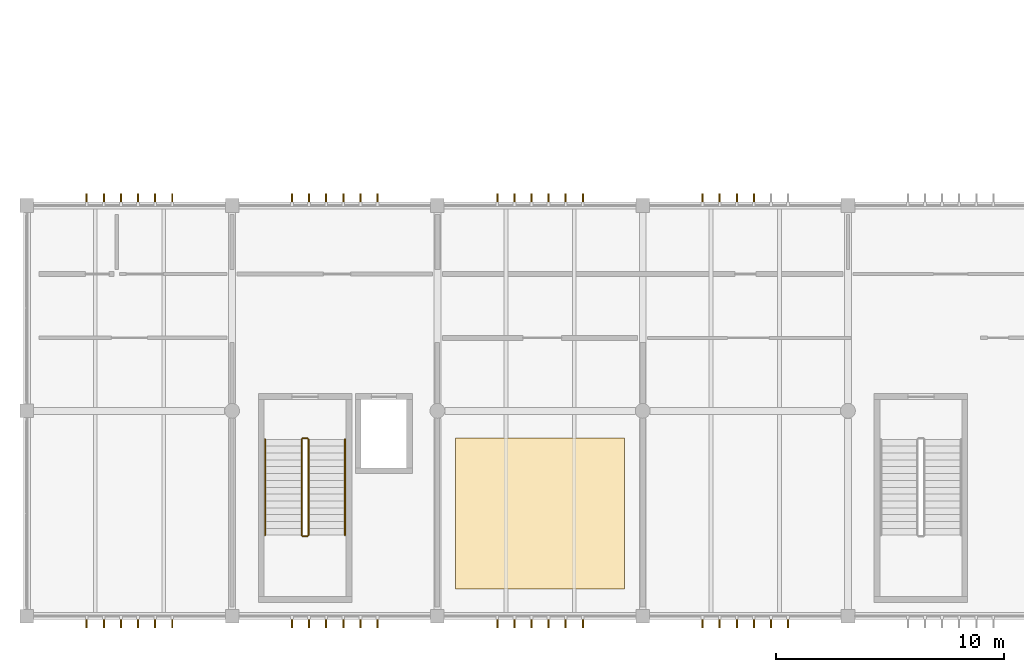
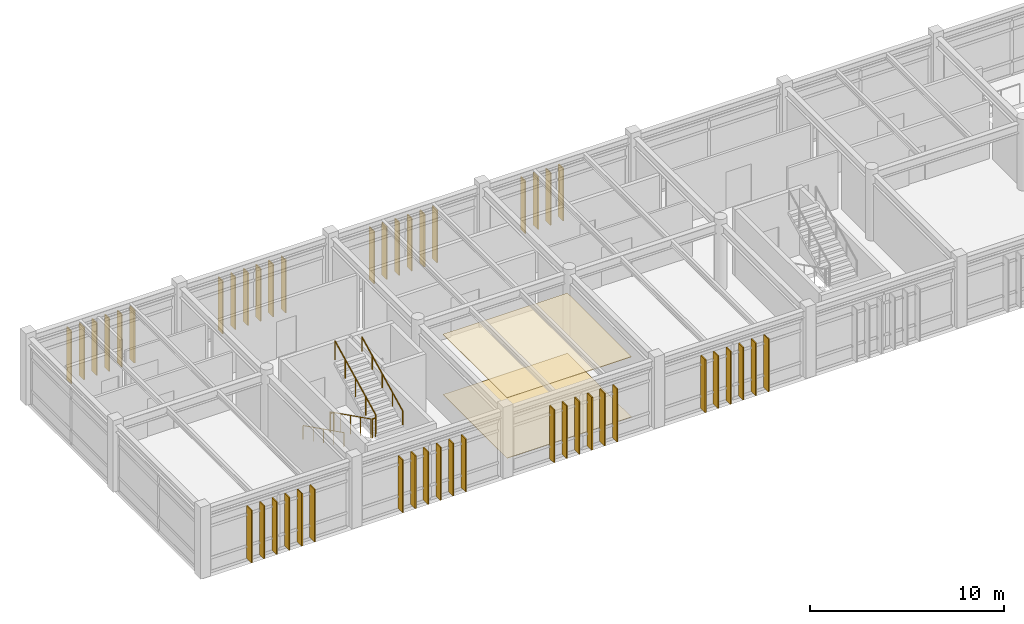
# One storey, part 50 of 55: 46 shading devices, 6 railings, 2 coverings.
"""IFC4 building model written with IfcOpenShell, lengths in metres."""

import ifcopenshell
import ifcopenshell.guid

model = None  # the IFC model being written
_history = None  # IfcOwnerHistory: only IFC2X3 demands one
_inside = {}  # id of a spatial element -> (the spatial element, [elements in it])
_under = {}  # id of a project, library or spatial element -> (it, [spatial elements below it])
_declared = {}  # id of a project -> (the project, [libraries it declares])
_typed = {}  # id of a type object -> (the type object, [elements of that type])
_made_of = {}  # id of a material, layer set ... -> (it, [elements and type objects made of it])


def new_model(schema):
    """Start an empty IFC model of exactly this schema.

    Asked for "IFC4X3", IfcOpenShell would pick the latest addendum, in which some entities
    have other attributes; the version numbers below select the first issue.
    IFC2X3 requires an IfcOwnerHistory on every rooted entity: one is made here for all.
    """
    global model, _history
    if schema == "IFC4X3":
        model = ifcopenshell.file(schema_version=(4, 3, 0, 0))
    else:
        model = ifcopenshell.file(schema=schema)
    _inside.clear()
    _under.clear()
    _declared.clear()
    _typed.clear()
    _made_of.clear()
    _history = None
    if model.schema == "IFC2X3":
        org = make("IfcOrganization", Name="unknown")
        user = make(
            "IfcPersonAndOrganization",
            ThePerson=make("IfcPerson", FamilyName="unknown"),
            TheOrganization=org,
        )
        app = make(
            "IfcApplication",
            ApplicationDeveloper=org,
            Version="unknown",
            ApplicationFullName="unknown",
            ApplicationIdentifier="unknown",
        )
        _history = make(
            "IfcOwnerHistory",
            OwningUser=user,
            OwningApplication=app,
            ChangeAction="ADDED",
            CreationDate=0,
        )
    return model


def make(cls, **values):
    """One entity of the class cls with the attributes given. An attribute that is None is left unset."""
    return model.create_entity(
        cls, **{name: value for name, value in values.items() if value is not None}
    )


def rooted(cls, **values):
    """An entity with a GlobalId (a new one), such as an element, a storey or a relation."""
    return make(cls, GlobalId=ifcopenshell.guid.new(), OwnerHistory=_history, **values)


def si_unit(unit_type, name, prefix=None):
    """IfcSIUnit, for example si_unit("LENGTHUNIT", "METRE", prefix="MILLI")."""
    return make("IfcSIUnit", UnitType=unit_type, Prefix=prefix, Name=name)


def assignment(units):
    """IfcUnitAssignment: the units of a project."""
    return None if units is None else make("IfcUnitAssignment", Units=units)


def point(xyz):
    """IfcCartesianPoint."""
    return None if xyz is None else make("IfcCartesianPoint", Coordinates=xyz)


def direction(xyz):
    """IfcDirection."""
    return None if xyz is None else make("IfcDirection", DirectionRatios=xyz)


def frame(location, z_axis=None, x_axis=None):
    """IfcAxis2Placement3D, a coordinate frame: its origin and axes. An axis left out is left unset."""
    return make(
        "IfcAxis2Placement3D",
        Location=point(location),
        Axis=direction(z_axis),
        RefDirection=direction(x_axis),
    )


def frame_2d(location, x_axis=None):
    """IfcAxis2Placement2D, a coordinate frame in the plane: its origin and x axis."""
    return make(
        "IfcAxis2Placement2D", Location=point(location), RefDirection=direction(x_axis)
    )


def origin():
    """The frame at (0, 0, 0) with its axes left unset."""
    return frame((0.0, 0.0, 0.0))


def origin_2d():
    """The frame at (0, 0) in the plane with its x axis left unset."""
    return frame_2d((0.0, 0.0))


def place(relative_to, where):
    """IfcLocalPlacement: puts the frame where relative to a parent placement (None: the world)."""
    return make(
        "IfcLocalPlacement", PlacementRelTo=relative_to, RelativePlacement=where
    )


def context(
    kind, dimensions, precision=None, world=None, true_north=None, identifier=None
):
    """IfcGeometricRepresentationContext, for example the 3D "Model" context."""
    return make(
        "IfcGeometricRepresentationContext",
        ContextIdentifier=identifier,
        ContextType=kind,
        CoordinateSpaceDimension=dimensions,
        Precision=precision,
        WorldCoordinateSystem=world,
        TrueNorth=true_north,
    )


def subcontext(parent, identifier, kind, view, scale=None):
    """IfcGeometricRepresentationSubContext, for example "Body" below "Model"."""
    return make(
        "IfcGeometricRepresentationSubContext",
        ContextIdentifier=identifier,
        ContextType=kind,
        ParentContext=parent,
        TargetScale=scale,
        TargetView=view,
    )


def project(units=None, contexts=None):
    """IfcProject with its units and contexts."""
    return rooted(
        "IfcProject",
        Name="project",
        RepresentationContexts=contexts,
        UnitsInContext=assignment(units),
    )


def spatial(cls, under=None, at=None, **own):
    """A site, building, storey or space (cls), placed at a placement, below another one or the project."""
    s = rooted(cls, ObjectPlacement=at, **own)
    if under is not None:
        _under.setdefault(under.id(), (under, []))[1].append(s)
    return s


def polyline(points):
    """IfcPolyline through the points."""
    return make("IfcPolyline", Points=[point(p) for p in points])


def profile(cls, at=None, kind="AREA", **sizes):
    """A parametric profile (cls). Its sizes go by their IFC names, for example OverallWidth=200.0."""
    return make(cls, ProfileType=kind, Position=at, **sizes)


def rectangle(**sizes):
    """IfcRectangleProfileDef."""
    return profile("IfcRectangleProfileDef", **sizes)


def circle(**sizes):
    """IfcCircleProfileDef."""
    return profile("IfcCircleProfileDef", **sizes)


def outline(outer, holes=None, kind="AREA"):
    """IfcArbitraryClosedProfileDef: a profile drawn as a closed curve; with holes, ...WithVoids."""
    if holes is None:
        return make("IfcArbitraryClosedProfileDef", ProfileType=kind, OuterCurve=outer)
    return make(
        "IfcArbitraryProfileDefWithVoids",
        ProfileType=kind,
        OuterCurve=outer,
        InnerCurves=holes,
    )


def extrude(swept, where, along, depth):
    """IfcExtrudedAreaSolid: the profile swept, set in the frame where, extruded along a direction by depth."""
    return make(
        "IfcExtrudedAreaSolid",
        SweptArea=swept,
        Position=where,
        ExtrudedDirection=direction(along),
        Depth=depth,
    )


def shape(context_of_items, identifier, shape_type, items):
    """IfcShapeRepresentation: the items that make up one representation, for example the "Body"."""
    return make(
        "IfcShapeRepresentation",
        ContextOfItems=context_of_items,
        RepresentationIdentifier=identifier,
        RepresentationType=shape_type,
        Items=items,
    )


def material(Name=None, Category=None):
    """IfcMaterial."""
    return make("IfcMaterial", Name=Name, Category=Category)


def layer(
    of_material, thickness, ventilated=None, Name=None, Category=None, Priority=None
):
    """IfcMaterialLayer: one layer of a wall or slab, of a material (None: an air gap)."""
    return make(
        "IfcMaterialLayer",
        Material=of_material,
        LayerThickness=thickness,
        IsVentilated=ventilated,
        Name=Name,
        Category=Category,
        Priority=Priority,
    )


def layer_set(layers, Name=None):
    """IfcMaterialLayerSet."""
    return make("IfcMaterialLayerSet", MaterialLayers=layers, LayerSetName=Name)


def made_of(thing, what):
    """Note that an element or type object is made of a material, layer set ...; save() writes the relation."""
    if what is not None:
        _made_of.setdefault(what.id(), (what, []))[1].append(thing)
    return thing


def type_object(cls, material=None, **own):
    """A type object (cls), such as IfcWallType, which elements share."""
    return made_of(rooted(cls, **own), material)


def element(
    cls,
    number,
    at=None,
    inside=None,
    cuts=None,
    type_object=None,
    material=None,
    context=None,
    identifier="Body",
    shape_type=None,
    held_by="IfcProductDefinitionShape",
    body=None,
    shapes=None,
    **own,
):
    """One element of the class cls, such as IfcWall. Its Tag is "e" and its number.

    at: its placement. inside: the storey or other place that contains it. cuts: it is an
    opening in that element (IfcRelVoidsElement). A single representation is given by context,
    identifier, shape_type and body (its items); several are given by shapes. held_by: the class
    of the entity that holds the representations. save() writes the other relations.
    """
    e = rooted(cls, Tag="e%d" % number, ObjectPlacement=at, **own)
    if body is not None:
        shapes = [shape(context, identifier, shape_type, body)]
    if shapes is not None:
        e.Representation = make(held_by, Representations=shapes)
    if inside is not None:
        _inside.setdefault(inside.id(), (inside, []))[1].append(e)
    if cuts is not None:
        rooted(
            "IfcRelVoidsElement", RelatingBuildingElement=cuts, RelatedOpeningElement=e
        )
    if type_object is not None:
        _typed.setdefault(type_object.id(), (type_object, []))[1].append(e)
    return made_of(e, material)


def aggregate(whole, parts):
    """IfcRelAggregates: a whole, such as a stair, and the parts it consists of."""
    return rooted("IfcRelAggregates", RelatingObject=whole, RelatedObjects=parts)


def save(model, path):
    """Write the relations noted so far, then the file.

    IfcRelAggregates (storeys below a building ...), IfcRelContainedInSpatialStructure (elements
    in a storey), IfcRelDefinesByType, IfcRelAssociatesMaterial and IfcRelDeclares: one each for
    every whole, place, type object, material and project.
    """
    for whole, parts in _under.values():
        aggregate(whole, parts)
    for where, things in _inside.values():
        rooted(
            "IfcRelContainedInSpatialStructure",
            RelatedElements=things,
            RelatingStructure=where,
        )
    for kind, things in _typed.values():
        rooted("IfcRelDefinesByType", RelatedObjects=things, RelatingType=kind)
    for what, things in _made_of.values():
        rooted("IfcRelAssociatesMaterial", RelatedObjects=things, RelatingMaterial=what)
    for by, libraries in _declared.values():
        rooted("IfcRelDeclares", RelatingContext=by, RelatedDefinitions=libraries)
    model.write(path)


model = new_model("IFC4")

# Units and contexts
model_context = context("Model", 3, precision=1e-05, world=origin(), true_north=direction((0.0, 1.0)))
body_context = subcontext(model_context, "Body", "Model", "MODEL_VIEW")
ifc_project = project(units=[si_unit("LENGTHUNIT", "METRE"), si_unit("AREAUNIT", "SQUARE_METRE"), si_unit("VOLUMEUNIT", "CUBIC_METRE"), si_unit("PLANEANGLEUNIT", "RADIAN"), si_unit("MASSUNIT", "GRAM", prefix="KILO")], contexts=[model_context])

# Site, building, storey
site_placement = place(None, origin())
site = spatial("IfcSite", under=ifc_project, at=site_placement, CompositionType="ELEMENT")
building_placement = place(site_placement, origin())
building = spatial("IfcBuilding", under=site, at=building_placement, Name="Bozkorgan Art Gallery", CompositionType="ELEMENT")
storey_placement = place(building_placement, frame((0.0, 0.0, 15.0)))
storey = spatial("IfcBuildingStorey", under=building, at=storey_placement, Name="L03", CompositionType="ELEMENT", Elevation=15.0)

# Coverings
ifc_material_1 = material(Name="Micro-Perforated Acoustic Gypsum Board")
ifc_layer_1 = layer(ifc_material_1, 0.034912109375, Name="Micro-Perforated Acoustic Gypsum Board")
ifc_layer_set_1 = layer_set([ifc_layer_1], Name="Micro-Perforated Acoustic Gypsum Board")
covering_type_1 = type_object("IfcCoveringType", Name="COV-CEIL-01", PredefinedType="CEILING", material=ifc_layer_set_1)
covering_1_placement = place(storey_placement, frame((0.0, 0.0, 3.784912109375)))
element("IfcCovering", 1, at=covering_1_placement, inside=storey, type_object=covering_type_1, Name="V1 L03 acoustic gallery ceiling 7", PredefinedType="CEILING", context=body_context, shape_type="SweptSolid", body=[
    extrude(outline(polyline([(20.800048828125, 3.199951171875), (28.199951171875, 3.199951171875), (28.199951171875, 9.800048828125), (20.800048828125, 9.800048828125), (20.800048828125, 3.199951171875)])), origin(), (0.0, 0.0, 1.0), 0.03515625),
])
ifc_material_2 = material(Name="Polished Kordai Granite Terrazzo", Category="masonry")
ifc_layer_2 = layer(ifc_material_2, 0.02490234375, Name="Polished Kordai Granite Terrazzo")
ifc_layer_set_2 = layer_set([ifc_layer_2], Name="Polished Kordai Granite Terrazzo")
covering_type_2 = type_object("IfcCoveringType", Name="COV-FLR-01", PredefinedType="FLOORING", material=ifc_layer_set_2)
covering_2_placement = place(storey_placement, origin())
element("IfcCovering", 2, at=covering_2_placement, inside=storey, type_object=covering_type_2, Name="V1 L03 terrazzo gallery flooring 7", PredefinedType="FLOORING", context=body_context, shape_type="SweptSolid", body=[
    extrude(outline(polyline([(20.800048828125, 3.199951171875), (28.199951171875, 3.199951171875), (28.199951171875, 9.800048828125), (20.800048828125, 9.800048828125), (20.800048828125, 3.199951171875)])), origin(), (0.0, 0.0, 1.0), 0.02490234375),
])

# Railings
ifc_material_3 = material(Name="Steel S355J2", Category="steel")
railing_type_1 = type_object("IfcRailingType", Name="RAIL-GRD-115", PredefinedType="GUARDRAIL", material=ifc_material_3)
railing_1_placement = place(storey_placement, frame((14.050048828125, 9.75, 0.14990234375)))
element("IfcRailing", 3, at=railing_1_placement, inside=storey, type_object=railing_type_1, Name="L03 ST1 stair guard 1", PredefinedType="GUARDRAIL", context=body_context, shape_type="SweptSolid", body=[
    extrude(circle(Radius=0.02392578125, at=origin_2d()), frame((0.0, 0.0, 1.17578125), z_axis=(0.0, -0.894416792377, 0.447234392142), x_axis=(1.0, 0.0, 0.0)), (0.0, 0.0, 1.0), 4.69580078125),
    extrude(circle(Radius=0.02099609375, at=origin_2d()), origin(), (0.0, 0.0, 1.0), 1.15185546875),
    extrude(circle(Radius=0.02099609375, at=origin_2d()), frame((0.0, -1.050048828125, 0.52490234375)), (0.0, 0.0, 1.0), 1.15185546875),
    extrude(circle(Radius=0.02099609375, at=origin_2d()), frame((0.0, -2.10009765625, 1.050048828125)), (0.0, 0.0, 1.0), 1.15185546875),
    extrude(circle(Radius=0.02099609375, at=origin_2d()), frame((0.0, -3.14990234375, 1.5751953125)), (0.0, 0.0, 1.0), 1.15185546875),
    extrude(circle(Radius=0.02099609375, at=origin_2d()), frame((0.0, -4.199951171875, 2.10009765625)), (0.0, 0.0, 1.0), 1.15185546875),
])
railing_2_placement = place(storey_placement, frame((14.10009765625, 5.5, 2.25)))
element("IfcRailing", 4, at=railing_2_placement, inside=storey, type_object=railing_type_1, Name="L03 ST1 stair guard 2", PredefinedType="GUARDRAIL", context=body_context, shape_type="SweptSolid", body=[
    extrude(circle(Radius=0.02392578125, at=origin_2d()), frame((0.0, 0.0, 1.17578125), z_axis=(1.0, 0.0, 0.0), x_axis=(0.0, 1.0, 0.0)), (0.0, 0.0, 1.0), 0.199951171875),
    extrude(circle(Radius=0.02099609375, at=origin_2d()), origin(), (0.0, 0.0, 1.0), 1.15185546875),
    extrude(circle(Radius=0.02099609375, at=origin_2d()), frame((0.199951171875, 0.0, 0.0)), (0.0, 0.0, 1.0), 1.15185546875),
])
railing_3_placement = place(storey_placement, frame((14.35009765625, 5.550048828125, 2.39990234375)))
element("IfcRailing", 5, at=railing_3_placement, inside=storey, type_object=railing_type_1, Name="L03 ST1 stair guard 3", PredefinedType="GUARDRAIL", context=body_context, shape_type="SweptSolid", body=[
    extrude(circle(Radius=0.02392578125, at=origin_2d()), frame((0.0, 0.0, 1.17578125), z_axis=(0.0, 0.894416792377, 0.447234392142), x_axis=(-1.0, 0.0, 0.0)), (0.0, 0.0, 1.0), 4.69580078125),
    extrude(circle(Radius=0.02099609375, at=origin_2d()), origin(), (0.0, 0.0, 1.0), 1.15185546875),
    extrude(circle(Radius=0.02099609375, at=origin_2d()), frame((0.0, 1.050048828125, 0.52490234375)), (0.0, 0.0, 1.0), 1.15185546875),
    extrude(circle(Radius=0.02099609375, at=origin_2d()), frame((0.0, 2.10009765625, 1.050048828125)), (0.0, 0.0, 1.0), 1.15185546875),
    extrude(circle(Radius=0.02099609375, at=origin_2d()), frame((0.0, 3.14990234375, 1.5751953125)), (0.0, 0.0, 1.0), 1.15185546875),
    extrude(circle(Radius=0.02099609375, at=origin_2d()), frame((0.0, 4.199951171875, 2.10009765625)), (0.0, 0.0, 1.0), 1.15185546875),
])
railing_4_placement = place(storey_placement, frame((14.10009765625, 9.800048828125, 0.0)))
element("IfcRailing", 6, at=railing_4_placement, inside=storey, type_object=railing_type_1, Name="L03 ST1 stair guard 4", PredefinedType="GUARDRAIL", context=body_context, shape_type="SweptSolid", body=[
    extrude(circle(Radius=0.02392578125, at=origin_2d()), frame((0.0, 0.0, 1.17578125), z_axis=(1.0, 0.0, 0.0), x_axis=(0.0, 1.0, 0.0)), (0.0, 0.0, 1.0), 0.199951171875),
    extrude(circle(Radius=0.02099609375, at=origin_2d()), origin(), (0.0, 0.0, 1.0), 1.15185546875),
    extrude(circle(Radius=0.02099609375, at=origin_2d()), frame((0.199951171875, 0.0, 0.0)), (0.0, 0.0, 1.0), 1.15185546875),
])
railing_type_2 = type_object("IfcRailingType", Name="RAIL-HND-092", PredefinedType="HANDRAIL", material=ifc_material_3)
railing_5_placement = place(storey_placement, frame((12.449951171875, 9.75, 0.14990234375)))
element("IfcRailing", 7, at=railing_5_placement, inside=storey, type_object=railing_type_2, Name="L03 ST1 stair handrail 1", PredefinedType="HANDRAIL", context=body_context, shape_type="SweptSolid", body=[
    extrude(circle(Radius=0.02392578125, at=origin_2d()), frame((0.0, 0.0, 0.8759765625), z_axis=(0.0, -0.894416792377, 0.447234392142), x_axis=(1.0, 0.0, 0.0)), (0.0, 0.0, 1.0), 4.69580078125),
    extrude(circle(Radius=0.02099609375, at=origin_2d()), origin(), (0.0, 0.0, 1.0), 0.851806640625),
    extrude(circle(Radius=0.02099609375, at=origin_2d()), frame((0.0, -1.050048828125, 0.52490234375)), (0.0, 0.0, 1.0), 0.851806640625),
    extrude(circle(Radius=0.02099609375, at=origin_2d()), frame((0.0, -2.10009765625, 1.050048828125)), (0.0, 0.0, 1.0), 0.851806640625),
    extrude(circle(Radius=0.02099609375, at=origin_2d()), frame((0.0, -3.14990234375, 1.5751953125)), (0.0, 0.0, 1.0), 0.851806640625),
    extrude(circle(Radius=0.02099609375, at=origin_2d()), frame((0.0, -4.199951171875, 2.10009765625)), (0.0, 0.0, 1.0), 0.851806640625),
])
railing_6_placement = place(storey_placement, frame((15.949951171875, 5.550048828125, 2.39990234375)))
element("IfcRailing", 8, at=railing_6_placement, inside=storey, type_object=railing_type_2, Name="L03 ST1 stair handrail 2", PredefinedType="HANDRAIL", context=body_context, shape_type="SweptSolid", body=[
    extrude(circle(Radius=0.02392578125, at=origin_2d()), frame((0.0, 0.0, 0.8759765625), z_axis=(0.0, 0.894416792377, 0.447234392142), x_axis=(-1.0, 0.0, 0.0)), (0.0, 0.0, 1.0), 4.69580078125),
    extrude(circle(Radius=0.02099609375, at=origin_2d()), origin(), (0.0, 0.0, 1.0), 0.851806640625),
    extrude(circle(Radius=0.02099609375, at=origin_2d()), frame((0.0, 1.050048828125, 0.52490234375)), (0.0, 0.0, 1.0), 0.851806640625),
    extrude(circle(Radius=0.02099609375, at=origin_2d()), frame((0.0, 2.10009765625, 1.050048828125)), (0.0, 0.0, 1.0), 0.851806640625),
    extrude(circle(Radius=0.02099609375, at=origin_2d()), frame((0.0, 3.14990234375, 1.5751953125)), (0.0, 0.0, 1.0), 0.851806640625),
    extrude(circle(Radius=0.02099609375, at=origin_2d()), frame((0.0, 4.199951171875, 2.10009765625)), (0.0, 0.0, 1.0), 0.851806640625),
])

# Shading devices
ifc_material_4 = material(Name="Polychrome Vitrified Ceramic Tile")
shading_device_type = type_object("IfcShadingDeviceType", Name="SHD-FIN-01", PredefinedType="USERDEFINED", material=ifc_material_4)
for number, where, z_axis, x_axis, name in (
    (9, (4.625, 1.719970703125, 0.14013671875), (0.0, 0.0, 1.0), (0.0, -1.0, 0.0), "CW-V1-L03-1S-01 vertical solar fin 1"),
    (10, (5.375, 1.719970703125, 0.14013671875), (0.0, 0.0, 1.0), (0.0, -1.0, 0.0), "CW-V1-L03-1S-01 vertical solar fin 2"),
    (11, (6.125, 1.719970703125, 0.14013671875), (0.0, 0.0, 1.0), (0.0, -1.0, 0.0), "CW-V1-L03-1S-01 vertical solar fin 3"),
    (12, (6.875, 1.719970703125, 0.14013671875), (0.0, 0.0, 1.0), (0.0, -1.0, 0.0), "CW-V1-L03-1S-01 vertical solar fin 4"),
    (13, (7.625, 1.719970703125, 0.14013671875), (0.0, 0.0, 1.0), (0.0, -1.0, 0.0), "CW-V1-L03-1S-01 vertical solar fin 5"),
    (14, (8.375, 1.719970703125, 0.14013671875), (0.0, 0.0, 1.0), (0.0, -1.0, 0.0), "CW-V1-L03-1S-01 vertical solar fin 6"),
    (15, (4.625, 20.280029296875, 0.14013671875), (0.0, 0.0, 1.0), (0.0, 1.0, 0.0), "CW-V1-L03-1N-02 vertical solar fin 1"),
    (16, (5.375, 20.280029296875, 0.14013671875), (0.0, 0.0, 1.0), (0.0, 1.0, 0.0), "CW-V1-L03-1N-02 vertical solar fin 2"),
    (17, (6.125, 20.280029296875, 0.14013671875), (0.0, 0.0, 1.0), (0.0, 1.0, 0.0), "CW-V1-L03-1N-02 vertical solar fin 3"),
    (18, (6.875, 20.280029296875, 0.14013671875), (0.0, 0.0, 1.0), (0.0, 1.0, 0.0), "CW-V1-L03-1N-02 vertical solar fin 4"),
    (19, (7.625, 20.280029296875, 0.14013671875), (0.0, 0.0, 1.0), (0.0, 1.0, 0.0), "CW-V1-L03-1N-02 vertical solar fin 5"),
    (20, (8.375, 20.280029296875, 0.14013671875), (0.0, 0.0, 1.0), (0.0, 1.0, 0.0), "CW-V1-L03-1N-02 vertical solar fin 6"),
    (21, (13.625, 1.719970703125, 0.14013671875), (0.0, 0.0, 1.0), (0.0, -1.0, 0.0), "CW-V1-L03-1S-03 vertical solar fin 1"),
    (22, (14.375, 1.719970703125, 0.14013671875), (0.0, 0.0, 1.0), (0.0, -1.0, 0.0), "CW-V1-L03-1S-03 vertical solar fin 2"),
    (23, (15.125, 1.719970703125, 0.14013671875), (0.0, 0.0, 1.0), (0.0, -1.0, 0.0), "CW-V1-L03-1S-03 vertical solar fin 3"),
    (24, (15.875, 1.719970703125, 0.14013671875), (0.0, 0.0, 1.0), (0.0, -1.0, 0.0), "CW-V1-L03-1S-03 vertical solar fin 4"),
    (25, (16.625, 1.719970703125, 0.14013671875), (0.0, 0.0, 1.0), (0.0, -1.0, 0.0), "CW-V1-L03-1S-03 vertical solar fin 5"),
    (26, (17.375, 1.719970703125, 0.14013671875), (0.0, 0.0, 1.0), (0.0, -1.0, 0.0), "CW-V1-L03-1S-03 vertical solar fin 6"),
    (27, (13.625, 20.280029296875, 0.14013671875), (0.0, 0.0, 1.0), (0.0, 1.0, 0.0), "CW-V1-L03-1N-04 vertical solar fin 1"),
    (28, (14.375, 20.280029296875, 0.14013671875), (0.0, 0.0, 1.0), (0.0, 1.0, 0.0), "CW-V1-L03-1N-04 vertical solar fin 2"),
    (29, (15.125, 20.280029296875, 0.14013671875), (0.0, 0.0, 1.0), (0.0, 1.0, 0.0), "CW-V1-L03-1N-04 vertical solar fin 3"),
    (30, (15.875, 20.280029296875, 0.14013671875), (0.0, 0.0, 1.0), (0.0, 1.0, 0.0), "CW-V1-L03-1N-04 vertical solar fin 4"),
    (31, (16.625, 20.280029296875, 0.14013671875), (0.0, 0.0, 1.0), (0.0, 1.0, 0.0), "CW-V1-L03-1N-04 vertical solar fin 5"),
    (32, (17.375, 20.280029296875, 0.14013671875), (0.0, 0.0, 1.0), (0.0, 1.0, 0.0), "CW-V1-L03-1N-04 vertical solar fin 6"),
    (33, (22.625, 1.719970703125, 0.14013671875), (0.0, 0.0, 1.0), (0.0, -1.0, 0.0), "CW-V1-L03-1S-05 vertical solar fin 1"),
    (34, (23.375, 1.719970703125, 0.14013671875), (0.0, 0.0, 1.0), (0.0, -1.0, 0.0), "CW-V1-L03-1S-05 vertical solar fin 2"),
    (35, (24.125, 1.719970703125, 0.14013671875), (0.0, 0.0, 1.0), (0.0, -1.0, 0.0), "CW-V1-L03-1S-05 vertical solar fin 3"),
    (36, (24.875, 1.719970703125, 0.14013671875), (0.0, 0.0, 1.0), (0.0, -1.0, 0.0), "CW-V1-L03-1S-05 vertical solar fin 4"),
    (37, (25.625, 1.719970703125, 0.14013671875), (0.0, 0.0, 1.0), (0.0, -1.0, 0.0), "CW-V1-L03-1S-05 vertical solar fin 5"),
    (38, (26.375, 1.719970703125, 0.14013671875), (0.0, 0.0, 1.0), (0.0, -1.0, 0.0), "CW-V1-L03-1S-05 vertical solar fin 6"),
    (39, (22.625, 20.280029296875, 0.14013671875), (0.0, 0.0, 1.0), (0.0, 1.0, 0.0), "CW-V1-L03-1N-06 vertical solar fin 1"),
    (40, (23.375, 20.280029296875, 0.14013671875), (0.0, 0.0, 1.0), (0.0, 1.0, 0.0), "CW-V1-L03-1N-06 vertical solar fin 2"),
    (41, (24.125, 20.280029296875, 0.14013671875), (0.0, 0.0, 1.0), (0.0, 1.0, 0.0), "CW-V1-L03-1N-06 vertical solar fin 3"),
    (42, (24.875, 20.280029296875, 0.14013671875), (0.0, 0.0, 1.0), (0.0, 1.0, 0.0), "CW-V1-L03-1N-06 vertical solar fin 4"),
    (43, (25.625, 20.280029296875, 0.14013671875), (0.0, 0.0, 1.0), (0.0, 1.0, 0.0), "CW-V1-L03-1N-06 vertical solar fin 5"),
    (44, (26.375, 20.280029296875, 0.14013671875), (0.0, 0.0, 1.0), (0.0, 1.0, 0.0), "CW-V1-L03-1N-06 vertical solar fin 6"),
    (45, (31.625, 1.719970703125, 0.14013671875), (0.0, 0.0, 1.0), (0.0, -1.0, 0.0), "CW-V1-L03-1S-07 vertical solar fin 1"),
    (46, (32.375, 1.719970703125, 0.14013671875), (0.0, 0.0, 1.0), (0.0, -1.0, 0.0), "CW-V1-L03-1S-07 vertical solar fin 2"),
    (47, (33.125, 1.719970703125, 0.14013671875), (0.0, 0.0, 1.0), (0.0, -1.0, 0.0), "CW-V1-L03-1S-07 vertical solar fin 3"),
    (48, (33.875, 1.719970703125, 0.14013671875), (0.0, 0.0, 1.0), (0.0, -1.0, 0.0), "CW-V1-L03-1S-07 vertical solar fin 4"),
    (49, (34.625, 1.719970703125, 0.14013671875), (0.0, 0.0, 1.0), (0.0, -1.0, 0.0), "CW-V1-L03-1S-07 vertical solar fin 5"),
    (50, (35.375, 1.719970703125, 0.14013671875), (0.0, 0.0, 1.0), (0.0, -1.0, 0.0), "CW-V1-L03-1S-07 vertical solar fin 6"),
    (51, (31.625, 20.280029296875, 0.14013671875), (0.0, 0.0, 1.0), (0.0, 1.0, 0.0), "CW-V1-L03-1N-08 vertical solar fin 1"),
    (52, (32.375, 20.280029296875, 0.14013671875), (0.0, 0.0, 1.0), (0.0, 1.0, 0.0), "CW-V1-L03-1N-08 vertical solar fin 2"),
    (53, (33.125, 20.280029296875, 0.14013671875), (0.0, 0.0, 1.0), (0.0, 1.0, 0.0), "CW-V1-L03-1N-08 vertical solar fin 3"),
    (54, (33.875, 20.280029296875, 0.14013671875), (0.0, 0.0, 1.0), (0.0, 1.0, 0.0), "CW-V1-L03-1N-08 vertical solar fin 4"),
):
    element("IfcShadingDevice", number, at=place(storey_placement, frame(where, z_axis=z_axis, x_axis=x_axis)), inside=storey, type_object=shading_device_type, Name=name, ObjectType="FIN", PredefinedType="USERDEFINED", context=body_context, shape_type="SweptSolid", body=[
        extrude(rectangle(XDim=0.47998046875, YDim=0.06494140625, at=origin_2d()), origin(), (0.0, 0.0, 1.0), 3.31494140625),
    ])

save(model, "model.ifc")
